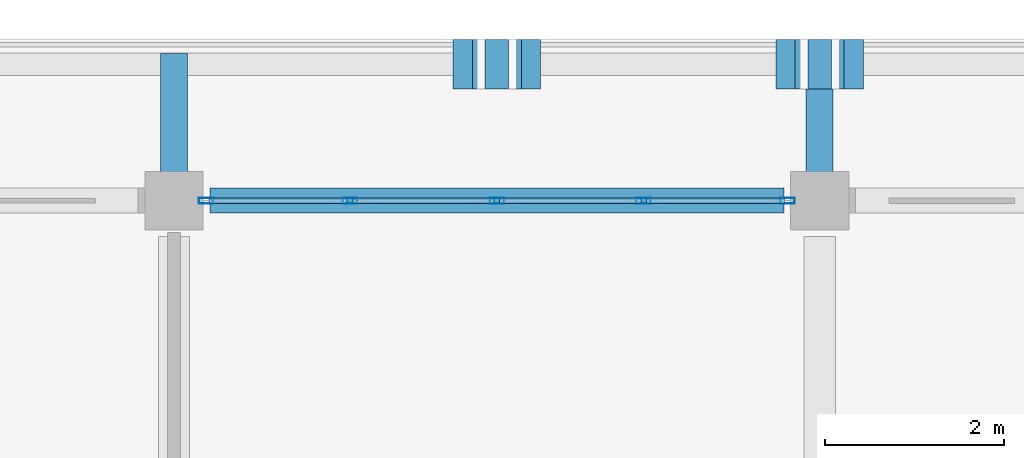
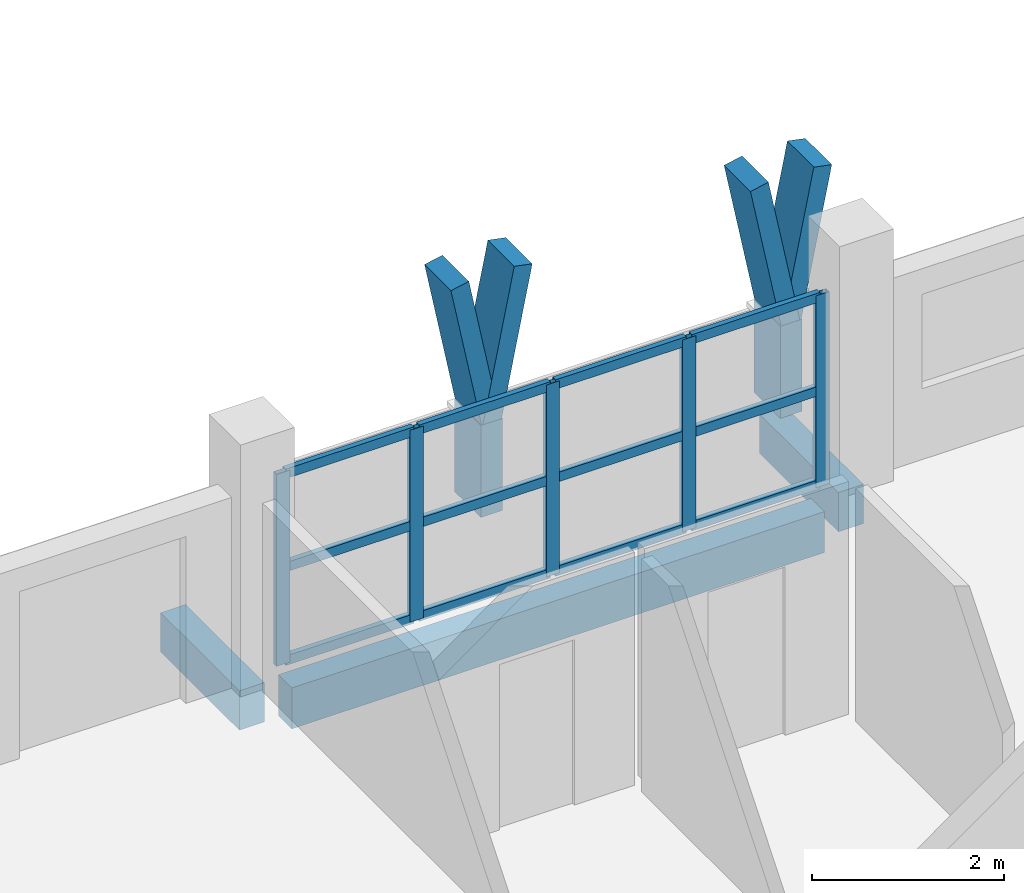
# One storey, part 33 of 157: 23 members, 3 beams, 1 element without a shape of its own.
"""IFC4 building model written with IfcOpenShell, lengths in metres."""

from ifc_helpers import new_model, si_unit, direction, frame, origin, origin_2d, place, context, subcontext, project, spatial, rectangle, hollow_rectangle, extrude, material, material_profile, profile_set, type_object, element, aggregate, save


model = new_model("IFC4")

# Units and contexts
model_context = context("Model", 3, precision=1e-05, world=origin(), true_north=direction((0.0, 1.0)))
body_context = subcontext(model_context, "Body", "Model", "MODEL_VIEW")
ifc_project = project(units=[si_unit("LENGTHUNIT", "METRE"), si_unit("AREAUNIT", "SQUARE_METRE"), si_unit("VOLUMEUNIT", "CUBIC_METRE"), si_unit("PLANEANGLEUNIT", "RADIAN"), si_unit("MASSUNIT", "GRAM", prefix="KILO")], contexts=[model_context])

# Site, building, storey
site_placement = place(None, origin())
site = spatial("IfcSite", under=ifc_project, at=site_placement, CompositionType="ELEMENT")
building_placement = place(site_placement, origin())
building = spatial("IfcBuilding", under=site, at=building_placement, Name="Suanplinth Sawtooth Commons", CompositionType="ELEMENT")
storey_placement = place(building_placement, frame((0.0, 0.0, 9.0)))
storey = spatial("IfcBuildingStorey", under=building, at=storey_placement, Name="L02", CompositionType="ELEMENT", Elevation=9.0)

# Beams
ifc_material_1 = material(Name="Precast concrete C40/50", Category="concrete")
ifc_material_profile_1 = material_profile(ifc_material_1, rectangle(XDim=0.300048828125, YDim=0.5, at=origin_2d()), Name="PC-BM 300x500")
ifc_profile_set_1 = profile_set([ifc_material_profile_1], Name="Precast concrete C40/50")
beam_type_1 = type_object("IfcBeamType", Name="B-07", PredefinedType="BEAM", material=ifc_profile_set_1)
for number, where, z_axis, x_axis, name in (
    (1, (14.39990234375, 122.39990234375, -0.429931640625), (0.0, 1.0, 0.0), (-1.0, 0.0, 0.0), "Balcony Outrigger L02-A-N-2"),
    (2, (21.60009765625, 122.39990234375, -0.429931640625), (0.0, 1.0, 0.0), (-1.0, 0.0, 0.0), "Balcony Outrigger L02-A-N-3"),
):
    element("IfcBeam", number, at=place(storey_placement, frame(where, z_axis=z_axis, x_axis=x_axis)), inside=storey, type_object=beam_type_1, Name=name, PredefinedType="BEAM", context=body_context, shape_type="SweptSolid", body=[
        extrude(rectangle(XDim=0.300048828125, YDim=0.5, at=origin_2d()), origin(), (0.0, 0.0, 1.0), 1.64013671875),
    ])
ifc_material_profile_2 = material_profile(ifc_material_1, rectangle(XDim=0.280029296875, YDim=0.52001953125, at=origin_2d()), Name="PC-SP 280x520")
ifc_profile_set_2 = profile_set([ifc_material_profile_2], Name="Precast concrete C40/50")
beam_type_2 = type_object("IfcBeamType", Name="B-08", PredefinedType="SPANDREL", material=ifc_profile_set_2)
beam_placement = place(storey_placement, frame((14.800048828125, 122.39990234375, -0.510009765625), z_axis=(1.0, 0.0, 0.0), x_axis=(0.0, 1.0, 0.0)))
element("IfcBeam", 3, at=beam_placement, inside=storey, type_object=beam_type_2, Name="BMX-L02-A-2-17", PredefinedType="SPANDREL", context=body_context, shape_type="SweptSolid", body=[
    extrude(rectangle(XDim=0.280029296875, YDim=0.52001953125, at=origin_2d()), origin(), (0.0, 0.0, 1.0), 6.39990234375),
])

# Members
ifc_material_2 = material(Name="Pigmented precast concrete C40/50", Category="concrete")
ifc_material_profile_3 = material_profile(ifc_material_2, rectangle(XDim=0.260009765625, YDim=0.550048828125, at=origin_2d()), Name="PC-FIN 260x550")
ifc_profile_set_3 = profile_set([ifc_material_profile_3], Name="Pigmented precast concrete C40/50")
member_type_1 = type_object("IfcMemberType", Name="M-09", PredefinedType="USERDEFINED", material=ifc_profile_set_3)
for number, where, z_axis, x_axis, name in (
    (4, (18.0, 123.919921875, 0.0), (0.0, 0.0, 1.0), (1.0, 0.0, 0.0), "Y-Blade Stem L02-A-N-02"),
    (5, (21.60009765625, 123.919921875, 0.0), (0.0, 0.0, 1.0), (1.0, 0.0, 0.0), "Y-Blade Stem L02-A-N-03"),
):
    element("IfcMember", number, at=place(storey_placement, frame(where, z_axis=z_axis, x_axis=x_axis)), inside=storey, type_object=member_type_1, Name=name, ObjectType="SHADING FIN", PredefinedType="USERDEFINED", context=body_context, shape_type="SweptSolid", body=[
        extrude(rectangle(XDim=0.260009765625, YDim=0.550048828125, at=origin_2d()), origin(), (0.0, 0.0, 1.0), 1.169921875),
    ])
ifc_material_profile_4 = material_profile(ifc_material_2, rectangle(XDim=0.219970703125, YDim=0.550048828125, at=origin_2d()), Name="PC-FIN 220x550")
ifc_profile_set_4 = profile_set([ifc_material_profile_4], Name="Pigmented precast concrete C40/50")
member_type_2 = type_object("IfcMemberType", Name="M-10", PredefinedType="USERDEFINED", material=ifc_profile_set_4)
for number, where, z_axis, x_axis, name in (
    (6, (18.0, 123.919921875, 1.1298828125), (-0.196406855569, 0.0, 0.980522486782), (0.980522486782, 0.0, 0.196406855569), "Y-Blade Arm L L02-A-N-02"),
    (7, (18.0, 123.919921875, 1.1298828125), (0.196406855569, 0.0, 0.980522486782), (-0.980522486782, 0.0, 0.196406855569), "Y-Blade Arm R L02-A-N-02"),
    (8, (21.60009765625, 123.919921875, 1.1298828125), (-0.196406855569, 0.0, 0.980522486782), (0.980522486782, 0.0, 0.196406855569), "Y-Blade Arm L L02-A-N-03"),
):
    element("IfcMember", number, at=place(storey_placement, frame(where, z_axis=z_axis, x_axis=x_axis)), inside=storey, type_object=member_type_2, Name=name, ObjectType="SHADING FIN", PredefinedType="USERDEFINED", context=body_context, shape_type="SweptSolid", body=[
        extrude(rectangle(XDim=0.219970703125, YDim=0.550048828125, at=origin_2d()), origin(), (0.0, 0.0, 1.0), 1.93798828125),
    ])
member_1_placement = place(storey_placement, frame((21.60009765625, 123.919921875, 1.1298828125), z_axis=(0.196285728346, 0.0, 0.980546741796), x_axis=(-0.980546741796, 0.0, 0.196285728346)))
element("IfcMember", 9, at=member_1_placement, inside=storey, type_object=member_type_2, Name="Y-Blade Arm R L02-A-N-03", ObjectType="SHADING FIN", PredefinedType="USERDEFINED", context=body_context, shape_type="SweptSolid", body=[
    extrude(rectangle(XDim=0.219970703125, YDim=0.550048828125, at=origin_2d()), origin(), (0.0, 0.0, 1.0), 1.937744140625),
])

# Curtain wall, members
ifc_material_3 = material(Name="Anodized aluminium and low-E glazing", Category="aluminium")
curtain_wall_type = type_object("IfcCurtainWallType", Name="CW-06", PredefinedType="USERDEFINED", material=ifc_material_3)
curtain_wall_placement = place(storey_placement, origin())
curtain_wall = element("IfcCurtainWall", 10, at=curtain_wall_placement, inside=storey, type_object=curtain_wall_type, Name="Curtain Wall CW-L02-A-LOUNGE-2", ObjectType="CURTAIN WALL", PredefinedType="USERDEFINED")
ifc_material_4 = material(Name="Anodized aluminium 6063-T6", Category="aluminium")
ifc_material_profile_5 = material_profile(ifc_material_4, hollow_rectangle(XDim=0.06494140625, YDim=0.159912109375, WallThickness=0.00390625, at=origin_2d()), Name="ALU-MUL 65x160")
ifc_profile_set_5 = profile_set([ifc_material_profile_5], Name="Anodized aluminium 6063-T6")
member_type_3 = type_object("IfcMemberType", Name="M-13", PredefinedType="MULLION", material=ifc_profile_set_5)
member_2_placement = place(storey_placement, frame((14.757568359375, 122.39990234375, 0.0), z_axis=(0.0, 0.0, 1.0), x_axis=(0.0, 1.0, 0.0)))
member_2 = element("IfcMember", 11, at=member_2_placement, type_object=member_type_3, Name="CW-06 mullion 1", PredefinedType="MULLION", context=body_context, shape_type="SweptSolid", body=[
    extrude(hollow_rectangle(XDim=0.06494140625, YDim=0.159912109375, WallThickness=0.00390625, at=origin_2d()), origin(), (0.0, 0.0, 1.0), 2.43994140625),
])
member_3_placement = place(storey_placement, frame((16.362548828125, 122.39990234375, 0.0), z_axis=(0.0, 0.0, 1.0), x_axis=(0.0, 1.0, 0.0)))
member_3 = element("IfcMember", 12, at=member_3_placement, type_object=member_type_3, Name="CW-06 mullion 2", PredefinedType="MULLION", context=body_context, shape_type="SweptSolid", body=[
    extrude(hollow_rectangle(XDim=0.06494140625, YDim=0.159912109375, WallThickness=0.00390625, at=origin_2d()), origin(), (0.0, 0.0, 1.0), 2.43994140625),
])
member_4_placement = place(storey_placement, frame((18.0, 122.39990234375, 0.0), z_axis=(0.0, 0.0, 1.0), x_axis=(0.0, 1.0, 0.0)))
member_4 = element("IfcMember", 13, at=member_4_placement, type_object=member_type_3, Name="CW-06 mullion 3", PredefinedType="MULLION", context=body_context, shape_type="SweptSolid", body=[
    extrude(hollow_rectangle(XDim=0.06494140625, YDim=0.159912109375, WallThickness=0.00390625, at=origin_2d()), origin(), (0.0, 0.0, 1.0), 2.43994140625),
])
member_5_placement = place(storey_placement, frame((19.637451171875, 122.39990234375, 0.0), z_axis=(0.0, 0.0, 1.0), x_axis=(0.0, 1.0, 0.0)))
member_5 = element("IfcMember", 14, at=member_5_placement, type_object=member_type_3, Name="CW-06 mullion 4", PredefinedType="MULLION", context=body_context, shape_type="SweptSolid", body=[
    extrude(hollow_rectangle(XDim=0.06494140625, YDim=0.159912109375, WallThickness=0.00390625, at=origin_2d()), origin(), (0.0, 0.0, 1.0), 2.43994140625),
])
member_6_placement = place(storey_placement, frame((21.242431640625, 122.39990234375, 0.0), z_axis=(0.0, 0.0, 1.0), x_axis=(0.0, 1.0, 0.0)))
member_6 = element("IfcMember", 15, at=member_6_placement, type_object=member_type_3, Name="CW-06 mullion 5", PredefinedType="MULLION", context=body_context, shape_type="SweptSolid", body=[
    extrude(hollow_rectangle(XDim=0.06494140625, YDim=0.159912109375, WallThickness=0.00390625, at=origin_2d()), origin(), (0.0, 0.0, 1.0), 2.43994140625),
])
ifc_material_profile_6 = material_profile(ifc_material_4, hollow_rectangle(XDim=0.06494140625, YDim=0.1201171875, WallThickness=0.00390625, at=origin_2d()), Name="ALU-TRN 65x120")
ifc_profile_set_6 = profile_set([ifc_material_profile_6], Name="Anodized aluminium 6063-T6")
member_type_4 = type_object("IfcMemberType", Name="M-15", PredefinedType="USERDEFINED", material=ifc_profile_set_6)
member_7_placement = place(storey_placement, frame((14.7900390625, 122.39990234375, 0.032470703125), z_axis=(1.0, 0.0, 0.0), x_axis=(0.0, 1.0, 0.0)))
member_7 = element("IfcMember", 16, at=member_7_placement, type_object=member_type_4, Name="CW-06 transom 1.1", ObjectType="TRANSOM", PredefinedType="USERDEFINED", context=body_context, shape_type="SweptSolid", body=[
    extrude(hollow_rectangle(XDim=0.06494140625, YDim=0.1201171875, WallThickness=0.00390625, at=origin_2d()), origin(), (0.0, 0.0, 1.0), 1.5400390625),
])
member_8_placement = place(storey_placement, frame((14.7900390625, 122.39990234375, 1.219970703125), z_axis=(1.0, 0.0, 0.0), x_axis=(0.0, 1.0, 0.0)))
member_8 = element("IfcMember", 17, at=member_8_placement, type_object=member_type_4, Name="CW-06 transom 1.2", ObjectType="TRANSOM", PredefinedType="USERDEFINED", context=body_context, shape_type="SweptSolid", body=[
    extrude(hollow_rectangle(XDim=0.06494140625, YDim=0.1201171875, WallThickness=0.00390625, at=origin_2d()), origin(), (0.0, 0.0, 1.0), 1.5400390625),
])
member_9_placement = place(storey_placement, frame((14.7900390625, 122.39990234375, 2.407470703125), z_axis=(1.0, 0.0, 0.0), x_axis=(0.0, 1.0, 0.0)))
member_9 = element("IfcMember", 18, at=member_9_placement, type_object=member_type_4, Name="CW-06 transom 1.3", ObjectType="TRANSOM", PredefinedType="USERDEFINED", context=body_context, shape_type="SweptSolid", body=[
    extrude(hollow_rectangle(XDim=0.06494140625, YDim=0.1201171875, WallThickness=0.00390625, at=origin_2d()), origin(), (0.0, 0.0, 1.0), 1.5400390625),
])
member_10_placement = place(storey_placement, frame((16.39501953125, 122.39990234375, 0.032470703125), z_axis=(1.0, 0.0, 0.0), x_axis=(0.0, 1.0, 0.0)))
member_10 = element("IfcMember", 19, at=member_10_placement, type_object=member_type_4, Name="CW-06 transom 2.1", ObjectType="TRANSOM", PredefinedType="USERDEFINED", context=body_context, shape_type="SweptSolid", body=[
    extrude(hollow_rectangle(XDim=0.06494140625, YDim=0.1201171875, WallThickness=0.00390625, at=origin_2d()), origin(), (0.0, 0.0, 1.0), 1.572509765625),
])
member_11_placement = place(storey_placement, frame((16.39501953125, 122.39990234375, 1.219970703125), z_axis=(1.0, 0.0, 0.0), x_axis=(0.0, 1.0, 0.0)))
member_11 = element("IfcMember", 20, at=member_11_placement, type_object=member_type_4, Name="CW-06 transom 2.2", ObjectType="TRANSOM", PredefinedType="USERDEFINED", context=body_context, shape_type="SweptSolid", body=[
    extrude(hollow_rectangle(XDim=0.06494140625, YDim=0.1201171875, WallThickness=0.00390625, at=origin_2d()), origin(), (0.0, 0.0, 1.0), 1.572509765625),
])
member_12_placement = place(storey_placement, frame((16.39501953125, 122.39990234375, 2.407470703125), z_axis=(1.0, 0.0, 0.0), x_axis=(0.0, 1.0, 0.0)))
member_12 = element("IfcMember", 21, at=member_12_placement, type_object=member_type_4, Name="CW-06 transom 2.3", ObjectType="TRANSOM", PredefinedType="USERDEFINED", context=body_context, shape_type="SweptSolid", body=[
    extrude(hollow_rectangle(XDim=0.06494140625, YDim=0.1201171875, WallThickness=0.00390625, at=origin_2d()), origin(), (0.0, 0.0, 1.0), 1.572509765625),
])
member_13_placement = place(storey_placement, frame((18.032470703125, 122.39990234375, 0.032470703125), z_axis=(1.0, 0.0, 0.0), x_axis=(0.0, 1.0, 0.0)))
member_13 = element("IfcMember", 22, at=member_13_placement, type_object=member_type_4, Name="CW-06 transom 3.1", ObjectType="TRANSOM", PredefinedType="USERDEFINED", context=body_context, shape_type="SweptSolid", body=[
    extrude(hollow_rectangle(XDim=0.06494140625, YDim=0.1201171875, WallThickness=0.00390625, at=origin_2d()), origin(), (0.0, 0.0, 1.0), 1.572509765625),
])
member_14_placement = place(storey_placement, frame((18.032470703125, 122.39990234375, 1.219970703125), z_axis=(1.0, 0.0, 0.0), x_axis=(0.0, 1.0, 0.0)))
member_14 = element("IfcMember", 23, at=member_14_placement, type_object=member_type_4, Name="CW-06 transom 3.2", ObjectType="TRANSOM", PredefinedType="USERDEFINED", context=body_context, shape_type="SweptSolid", body=[
    extrude(hollow_rectangle(XDim=0.06494140625, YDim=0.1201171875, WallThickness=0.00390625, at=origin_2d()), origin(), (0.0, 0.0, 1.0), 1.572509765625),
])
member_15_placement = place(storey_placement, frame((18.032470703125, 122.39990234375, 2.407470703125), z_axis=(1.0, 0.0, 0.0), x_axis=(0.0, 1.0, 0.0)))
member_15 = element("IfcMember", 24, at=member_15_placement, type_object=member_type_4, Name="CW-06 transom 3.3", ObjectType="TRANSOM", PredefinedType="USERDEFINED", context=body_context, shape_type="SweptSolid", body=[
    extrude(hollow_rectangle(XDim=0.06494140625, YDim=0.1201171875, WallThickness=0.00390625, at=origin_2d()), origin(), (0.0, 0.0, 1.0), 1.572509765625),
])
member_16_placement = place(storey_placement, frame((19.669921875, 122.39990234375, 0.032470703125), z_axis=(1.0, 0.0, 0.0), x_axis=(0.0, 1.0, 0.0)))
member_16 = element("IfcMember", 25, at=member_16_placement, type_object=member_type_4, Name="CW-06 transom 4.1", ObjectType="TRANSOM", PredefinedType="USERDEFINED", context=body_context, shape_type="SweptSolid", body=[
    extrude(hollow_rectangle(XDim=0.06494140625, YDim=0.1201171875, WallThickness=0.00390625, at=origin_2d()), origin(), (0.0, 0.0, 1.0), 1.5400390625),
])
member_17_placement = place(storey_placement, frame((19.669921875, 122.39990234375, 1.219970703125), z_axis=(1.0, 0.0, 0.0), x_axis=(0.0, 1.0, 0.0)))
member_17 = element("IfcMember", 26, at=member_17_placement, type_object=member_type_4, Name="CW-06 transom 4.2", ObjectType="TRANSOM", PredefinedType="USERDEFINED", context=body_context, shape_type="SweptSolid", body=[
    extrude(hollow_rectangle(XDim=0.06494140625, YDim=0.1201171875, WallThickness=0.00390625, at=origin_2d()), origin(), (0.0, 0.0, 1.0), 1.5400390625),
])
member_18_placement = place(storey_placement, frame((19.669921875, 122.39990234375, 2.407470703125), z_axis=(1.0, 0.0, 0.0), x_axis=(0.0, 1.0, 0.0)))
member_18 = element("IfcMember", 27, at=member_18_placement, type_object=member_type_4, Name="CW-06 transom 4.3", ObjectType="TRANSOM", PredefinedType="USERDEFINED", context=body_context, shape_type="SweptSolid", body=[
    extrude(hollow_rectangle(XDim=0.06494140625, YDim=0.1201171875, WallThickness=0.00390625, at=origin_2d()), origin(), (0.0, 0.0, 1.0), 1.5400390625),
])
aggregate(curtain_wall, [member_2, member_3, member_4, member_5, member_6, member_7, member_8, member_9, member_10, member_11, member_12, member_13, member_14, member_15, member_16, member_17, member_18])

save(model, "model.ifc")
